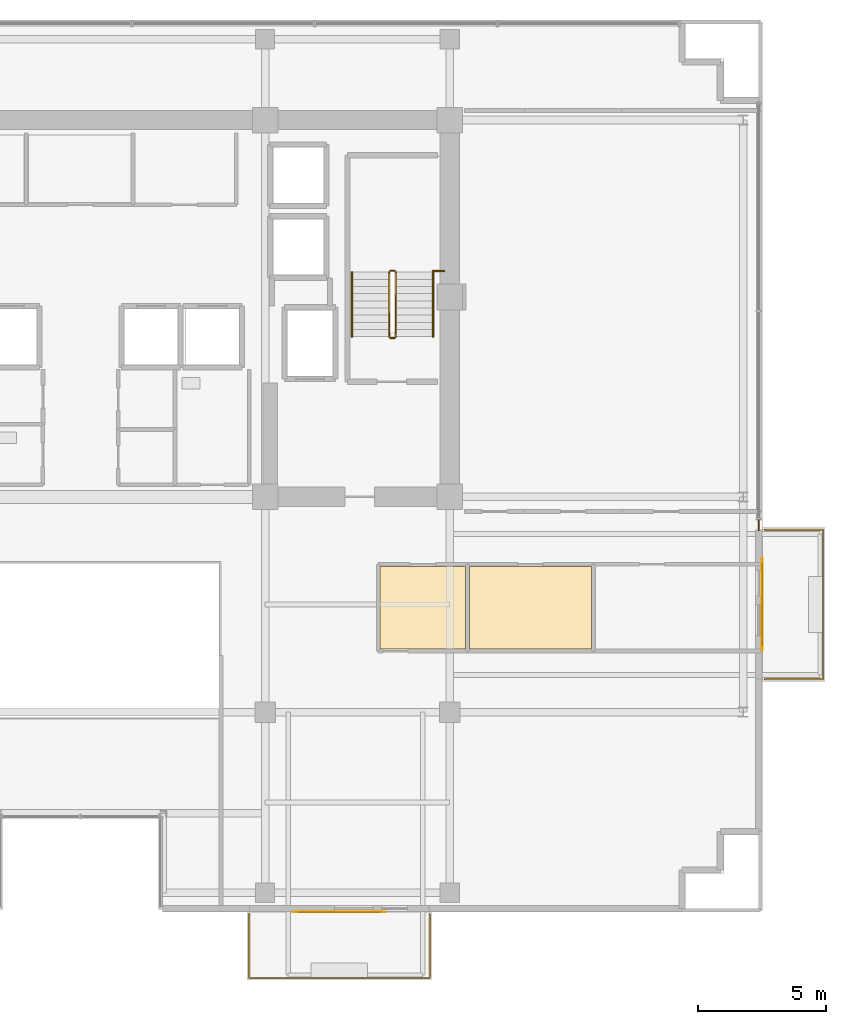
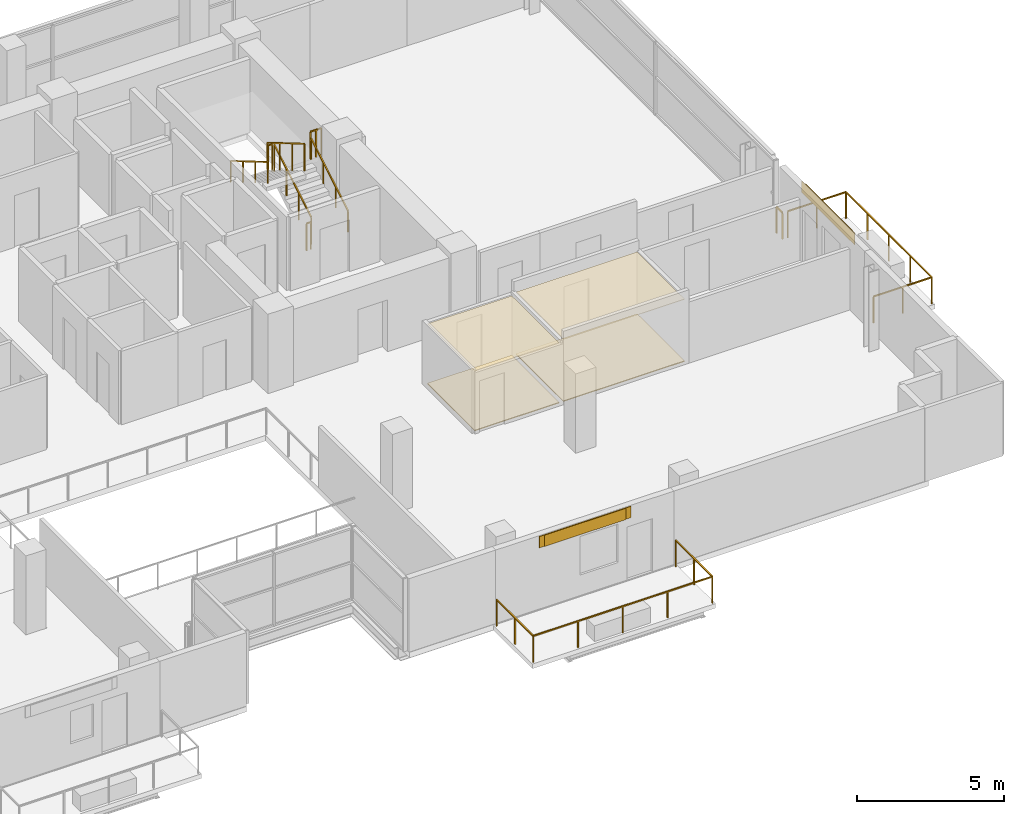
# One storey, part 21 of 22: 10 railings, 6 coverings, 2 shading devices.
"""IFC4 building model written with IfcOpenShell, lengths in metres."""

from ifc_helpers import new_model, si_unit, direction, frame, origin, origin_2d, place, context, subcontext, project, spatial, polyline, rectangle, outline, extrude, source, transform, mapped, material, layer, layer_set, type_object, element, save


model = new_model("IFC4")

# Units and contexts
model_context = context("Model", 3, precision=1e-05, world=origin(), true_north=direction((0.0, 1.0)))
body_context = subcontext(model_context, "Body", "Model", "MODEL_VIEW")
ifc_project = project(units=[si_unit("LENGTHUNIT", "METRE"), si_unit("AREAUNIT", "SQUARE_METRE"), si_unit("VOLUMEUNIT", "CUBIC_METRE"), si_unit("PLANEANGLEUNIT", "RADIAN"), si_unit("MASSUNIT", "GRAM", prefix="KILO")], contexts=[model_context])

# Site, building, storey
site_placement = place(None, origin())
site = spatial("IfcSite", under=ifc_project, at=site_placement, CompositionType="ELEMENT")
building_placement = place(site_placement, origin())
building = spatial("IfcBuilding", under=site, at=building_placement, Name="Zarnakvel Exchange Tower", CompositionType="ELEMENT")
storey_placement = place(building_placement, frame((0.0, 0.0, 195.699951171875)))
storey = spatial("IfcBuildingStorey", under=building, at=storey_placement, Name="L55", CompositionType="ELEMENT", Elevation=195.699951171875)

# Coverings
ifc_material_1 = material(Name="Perforated Bronze Acoustic Metal Ceiling", Category="aluminium")
ifc_layer_1 = layer(ifc_material_1, 0.02001953125)
ifc_layer_set_1 = layer_set([ifc_layer_1], Name="Perforated Bronze Acoustic Metal Ceiling")
covering_type_1 = type_object("IfcCoveringType", Name="CLG-01", PredefinedType="CEILING", material=ifc_layer_set_1)
covering_1_placement = place(storey_placement, frame((0.0, 0.0, 2.47998046875)))
element("IfcCovering", 1, at=covering_1_placement, inside=storey, type_object=covering_type_1, Name="L55 Suspended Acoustic Ceiling (Conference Room)", PredefinedType="CEILING", context=body_context, shape_type="SweptSolid", body=[
    extrude(outline(polyline([(11.69140625, -3.909912109375), (15.01220703125, -3.909912109375), (15.01220703125, -7.139892578125), (11.69140625, -7.139892578125), (11.69140625, -3.909912109375)])), origin(), (0.0, 0.0, 1.0), 0.02001953125),
])
covering_2_placement = place(storey_placement, frame((0.0, 0.0, 2.580078125)))
element("IfcCovering", 2, at=covering_2_placement, inside=storey, type_object=covering_type_1, Name="L55 Suspended Acoustic Ceiling (Executive Pantry)", PredefinedType="CEILING", context=body_context, shape_type="SweptSolid", body=[
    extrude(outline(polyline([(15.17236328125, -3.909912109375), (19.93701171875, -3.909912109375), (19.93701171875, -7.139892578125), (15.17236328125, -7.139892578125), (15.17236328125, -3.909912109375)])), origin(), (0.0, 0.0, 1.0), 0.02001953125),
])
ifc_material_2 = material(Name="Heavy-Duty Raised Access Floor Panel", Category="steel")
ifc_layer_2 = layer(ifc_material_2, 0.034912109375)
ifc_layer_set_2 = layer_set([ifc_layer_2], Name="Heavy-Duty Raised Access Floor Panel")
covering_type_2 = type_object("IfcCoveringType", Name="FLR-02", PredefinedType="FLOORING", material=ifc_layer_set_2)
covering_3_placement = place(storey_placement, origin())
element("IfcCovering", 3, at=covering_3_placement, inside=storey, type_object=covering_type_2, Name="L55 Floor Finish (Conference Room)", PredefinedType="FLOORING", context=body_context, shape_type="SweptSolid", body=[
    extrude(outline(polyline([(11.69140625, -3.909912109375), (15.01220703125, -3.909912109375), (15.01220703125, -7.139892578125), (11.69140625, -7.139892578125), (11.69140625, -3.909912109375)])), origin(), (0.0, 0.0, 1.0), 0.03515625),
])
covering_4_placement = place(storey_placement, origin())
element("IfcCovering", 4, at=covering_4_placement, inside=storey, type_object=covering_type_2, Name="L55 Floor Finish (Executive Pantry)", PredefinedType="FLOORING", context=body_context, shape_type="SweptSolid", body=[
    extrude(outline(polyline([(15.17236328125, -3.909912109375), (19.93701171875, -3.909912109375), (19.93701171875, -7.139892578125), (15.17236328125, -7.139892578125), (15.17236328125, -3.909912109375)])), origin(), (0.0, 0.0, 1.0), 0.03515625),
])

# Railings
ifc_material_3 = material(Name="Architectural Bronze Anodised Aluminium", Category="aluminium")
railing_type_1 = type_object("IfcRailingType", Name="GR-02", PredefinedType="GUARDRAIL", material=ifc_material_3)
railing_1_placement = place(storey_placement, frame((6.580078125, -17.47998046875, -0.034912109375)))
element("IfcRailing", 5, at=railing_1_placement, inside=storey, type_object=railing_type_1, Name="L55 Balcony Guardrail BAL-L55-SE", PredefinedType="GUARDRAIL", context=body_context, shape_type="SweptSolid", body=[
    extrude(rectangle(XDim=0.048095703125, YDim=0.048095703125, at=origin_2d()), frame((0.0, 0.0, 1.09619140625), z_axis=(0.0, -1.0, 0.0), x_axis=(1.0, 0.0, 0.0)), (0.0, 0.0, 1.0), 2.489990234375),
    extrude(rectangle(XDim=0.048095703125, YDim=0.048095703125, at=origin_2d()), frame((0.0, -2.489990234375, 1.09619140625), z_axis=(1.0, 0.0, 0.0), x_axis=(0.0, 1.0, 0.0)), (0.0, 0.0, 1.0), 7.0400390625),
    extrude(rectangle(XDim=0.048095703125, YDim=0.048095703125, at=origin_2d()), frame((7.0400390625, -2.489990234375, 1.09619140625), z_axis=(0.0, 1.0, 0.0), x_axis=(-1.0, 0.0, 0.0)), (0.0, 0.0, 1.0), 2.489990234375),
    extrude(rectangle(XDim=0.0419921875, YDim=0.0419921875, at=origin_2d()), origin(), (0.0, 0.0, 1.0), 1.072021484375),
    extrude(rectangle(XDim=0.0419921875, YDim=0.0419921875, at=origin_2d()), frame((0.0, -1.2451171875, 0.0)), (0.0, 0.0, 1.0), 1.072021484375),
    extrude(rectangle(XDim=0.0419921875, YDim=0.0419921875, at=origin_2d()), frame((0.0, -2.489990234375, 0.0)), (0.0, 0.0, 1.0), 1.072021484375),
    extrude(rectangle(XDim=0.0419921875, YDim=0.0419921875, at=origin_2d()), frame((1.760009765625, -2.489990234375, 0.0)), (0.0, 0.0, 1.0), 1.072021484375),
    extrude(rectangle(XDim=0.0419921875, YDim=0.0419921875, at=origin_2d()), frame((3.52001953125, -2.489990234375, 0.0)), (0.0, 0.0, 1.0), 1.072021484375),
    extrude(rectangle(XDim=0.0419921875, YDim=0.0419921875, at=origin_2d()), frame((5.280029296875, -2.489990234375, 0.0)), (0.0, 0.0, 1.0), 1.072021484375),
    extrude(rectangle(XDim=0.0419921875, YDim=0.0419921875, at=origin_2d()), frame((7.0400390625, -2.489990234375, 0.0)), (0.0, 0.0, 1.0), 1.072021484375),
    extrude(rectangle(XDim=0.0419921875, YDim=0.0419921875, at=origin_2d()), frame((7.0400390625, -1.2451171875, 0.0)), (0.0, 0.0, 1.0), 1.072021484375),
    extrude(rectangle(XDim=0.0419921875, YDim=0.0419921875, at=origin_2d()), frame((7.0400390625, 0.0, 0.0)), (0.0, 0.0, 1.0), 1.072021484375),
])
railing_2_placement = place(storey_placement, frame((26.679931640625, -8.320068359375, -0.034912109375)))
element("IfcRailing", 6, at=railing_2_placement, inside=storey, type_object=railing_type_1, Name="L55 Balcony Guardrail BAL-L55-E", PredefinedType="GUARDRAIL", context=body_context, shape_type="SweptSolid", body=[
    extrude(rectangle(XDim=0.048095703125, YDim=0.048095703125, at=origin_2d()), frame((0.0, 0.0, 1.09619140625), z_axis=(1.0, 0.0, 0.0), x_axis=(0.0, 1.0, 0.0)), (0.0, 0.0, 1.0), 2.2900390625),
    extrude(rectangle(XDim=0.048095703125, YDim=0.048095703125, at=origin_2d()), frame((2.2900390625, 0.0, 1.09619140625), z_axis=(0.0, 1.0, 0.0), x_axis=(-1.0, 0.0, 0.0)), (0.0, 0.0, 1.0), 5.840087890625),
    extrude(rectangle(XDim=0.048095703125, YDim=0.048095703125, at=origin_2d()), frame((2.2900390625, 5.840087890625, 1.09619140625), z_axis=(-1.0, 0.0, 0.0), x_axis=(0.0, -1.0, 0.0)), (0.0, 0.0, 1.0), 2.2900390625),
    extrude(rectangle(XDim=0.0419921875, YDim=0.0419921875, at=origin_2d()), origin(), (0.0, 0.0, 1.0), 1.072021484375),
    extrude(rectangle(XDim=0.0419921875, YDim=0.0419921875, at=origin_2d()), frame((1.14501953125, 0.0, 0.0)), (0.0, 0.0, 1.0), 1.072021484375),
    extrude(rectangle(XDim=0.0419921875, YDim=0.0419921875, at=origin_2d()), frame((2.2900390625, 0.0, 0.0)), (0.0, 0.0, 1.0), 1.072021484375),
    extrude(rectangle(XDim=0.0419921875, YDim=0.0419921875, at=origin_2d()), frame((2.2900390625, 1.4599609375, 0.0)), (0.0, 0.0, 1.0), 1.072021484375),
    extrude(rectangle(XDim=0.0419921875, YDim=0.0419921875, at=origin_2d()), frame((2.2900390625, 2.919921875, 0.0)), (0.0, 0.0, 1.0), 1.072021484375),
    extrude(rectangle(XDim=0.0419921875, YDim=0.0419921875, at=origin_2d()), frame((2.2900390625, 4.380126953125, 0.0)), (0.0, 0.0, 1.0), 1.072021484375),
    extrude(rectangle(XDim=0.0419921875, YDim=0.0419921875, at=origin_2d()), frame((2.2900390625, 5.840087890625, 0.0)), (0.0, 0.0, 1.0), 1.072021484375),
    extrude(rectangle(XDim=0.0419921875, YDim=0.0419921875, at=origin_2d()), frame((1.14501953125, 5.840087890625, 0.0)), (0.0, 0.0, 1.0), 1.072021484375),
    extrude(rectangle(XDim=0.0419921875, YDim=0.0419921875, at=origin_2d()), frame((0.0, 5.840087890625, 0.0)), (0.0, 0.0, 1.0), 1.072021484375),
])
railing_3_placement = place(storey_placement, frame((26.4599609375, -2.10009765625, 0.0)))
element("IfcRailing", 7, at=railing_3_placement, inside=storey, type_object=railing_type_1, Name="L55 Corner Spandrel Balustrade #9", PredefinedType="GUARDRAIL", context=body_context, shape_type="SweptSolid", body=[
    extrude(rectangle(XDim=0.048095703125, YDim=0.048095703125, at=origin_2d()), frame((0.0, 0.0, 1.09619140625), z_axis=(0.0, -1.0, 0.0), x_axis=(1.0, 0.0, 0.0)), (0.0, 0.0, 1.0), 0.39990234375),
    extrude(rectangle(XDim=0.0419921875, YDim=0.0419921875, at=origin_2d()), origin(), (0.0, 0.0, 1.0), 1.072021484375),
    extrude(rectangle(XDim=0.0419921875, YDim=0.0419921875, at=origin_2d()), frame((0.0, -0.39990234375, 0.0)), (0.0, 0.0, 1.0), 1.072021484375),
])
ifc_material_4 = material(Name="Brushed Stainless Steel", Category="steel")
railing_type_2 = type_object("IfcRailingType", Name="HR-01", PredefinedType="HANDRAIL", material=ifc_material_4)
railing_4_placement = place(storey_placement, frame((13.75, 5.050048828125, 0.1650390625)))
element("IfcRailing", 8, at=railing_4_placement, inside=storey, type_object=railing_type_2, Name="L55 ST-02 stair handrail 1", PredefinedType="HANDRAIL", context=body_context, shape_type="SweptSolid", body=[
    extrude(rectangle(XDim=0.048095703125, YDim=0.048095703125, at=origin_2d()), frame((0.0, 0.0, 0.8759765625), z_axis=(0.0, 0.86152411907, 0.507716645641), x_axis=(-1.0, 0.0, 0.0)), (0.0, 0.0, 1.0), 2.925048828125),
    extrude(rectangle(XDim=0.0419921875, YDim=0.0419921875, at=origin_2d()), origin(), (0.0, 0.0, 1.0), 0.851806640625),
    extrude(rectangle(XDim=0.0419921875, YDim=0.0419921875, at=origin_2d()), frame((0.0, 0.840087890625, 0.4951171875)), (0.0, 0.0, 1.0), 0.851806640625),
    extrude(rectangle(XDim=0.0419921875, YDim=0.0419921875, at=origin_2d()), frame((0.0, 1.679931640625, 0.989990234375)), (0.0, 0.0, 1.0), 0.851806640625),
    extrude(rectangle(XDim=0.0419921875, YDim=0.0419921875, at=origin_2d()), frame((0.0, 2.52001953125, 1.485107421875)), (0.0, 0.0, 1.0), 0.851806640625),
])
railing_5_placement = place(storey_placement, frame((10.590087890625, 7.570068359375, 1.81494140625)))
element("IfcRailing", 9, at=railing_5_placement, inside=storey, type_object=railing_type_2, Name="L55 ST-02 stair handrail 2", PredefinedType="HANDRAIL", context=body_context, shape_type="SweptSolid", body=[
    extrude(rectangle(XDim=0.048095703125, YDim=0.048095703125, at=origin_2d()), frame((0.0, 0.0, 0.8759765625), z_axis=(0.0, -0.86152411907, 0.507716645641), x_axis=(1.0, 0.0, 0.0)), (0.0, 0.0, 1.0), 2.925048828125),
    extrude(rectangle(XDim=0.0419921875, YDim=0.0419921875, at=origin_2d()), origin(), (0.0, 0.0, 1.0), 0.851806640625),
    extrude(rectangle(XDim=0.0419921875, YDim=0.0419921875, at=origin_2d()), frame((0.0, -0.840087890625, 0.4951171875)), (0.0, 0.0, 1.0), 0.851806640625),
    extrude(rectangle(XDim=0.0419921875, YDim=0.0419921875, at=origin_2d()), frame((0.0, -1.679931640625, 0.989990234375)), (0.0, 0.0, 1.0), 0.851806640625),
    extrude(rectangle(XDim=0.0419921875, YDim=0.0419921875, at=origin_2d()), frame((0.0, -2.52001953125, 1.485107421875)), (0.0, 0.0, 1.0), 0.851806640625),
])
railing_type_3 = type_object("IfcRailingType", Name="SG-01", PredefinedType="GUARDRAIL", material=ifc_material_3)
railing_6_placement = place(storey_placement, frame((12.300048828125, 5.050048828125, 0.1650390625)))
element("IfcRailing", 10, at=railing_6_placement, inside=storey, type_object=railing_type_3, Name="L55 ST-02 stair guard 1", PredefinedType="GUARDRAIL", context=body_context, shape_type="SweptSolid", body=[
    extrude(rectangle(XDim=0.048095703125, YDim=0.048095703125, at=origin_2d()), frame((0.0, 0.0, 1.1259765625), z_axis=(0.0, 0.86152411907, 0.507716645641), x_axis=(-1.0, 0.0, 0.0)), (0.0, 0.0, 1.0), 2.925048828125),
    extrude(rectangle(XDim=0.0419921875, YDim=0.0419921875, at=origin_2d()), origin(), (0.0, 0.0, 1.0), 1.101806640625),
    extrude(rectangle(XDim=0.0419921875, YDim=0.0419921875, at=origin_2d()), frame((0.0, 0.840087890625, 0.4951171875)), (0.0, 0.0, 1.0), 1.101806640625),
    extrude(rectangle(XDim=0.0419921875, YDim=0.0419921875, at=origin_2d()), frame((0.0, 1.679931640625, 0.989990234375)), (0.0, 0.0, 1.0), 1.101806640625),
    extrude(rectangle(XDim=0.0419921875, YDim=0.0419921875, at=origin_2d()), frame((0.0, 2.52001953125, 1.485107421875)), (0.0, 0.0, 1.0), 1.101806640625),
])
railing_7_placement = place(storey_placement, frame((12.25, 7.6201171875, 1.650146484375)))
element("IfcRailing", 11, at=railing_7_placement, inside=storey, type_object=railing_type_3, Name="L55 ST-02 stair guard 2", PredefinedType="GUARDRAIL", context=body_context, shape_type="SweptSolid", body=[
    extrude(rectangle(XDim=0.048095703125, YDim=0.048095703125, at=origin_2d()), frame((0.0, 0.0, 1.1259765625), z_axis=(-1.0, 0.0, 0.0), x_axis=(0.0, -1.0, 0.0)), (0.0, 0.0, 1.0), 0.159912109375),
    extrude(rectangle(XDim=0.0419921875, YDim=0.0419921875, at=origin_2d()), origin(), (0.0, 0.0, 1.0), 1.101806640625),
    extrude(rectangle(XDim=0.0419921875, YDim=0.0419921875, at=origin_2d()), frame((-0.159912109375, 0.0, 0.0)), (0.0, 0.0, 1.0), 1.101806640625),
])
railing_8_placement = place(storey_placement, frame((12.0400390625, 7.570068359375, 1.81494140625)))
element("IfcRailing", 12, at=railing_8_placement, inside=storey, type_object=railing_type_3, Name="L55 ST-02 stair guard 3", PredefinedType="GUARDRAIL", context=body_context, shape_type="SweptSolid", body=[
    extrude(rectangle(XDim=0.048095703125, YDim=0.048095703125, at=origin_2d()), frame((0.0, 0.0, 1.1259765625), z_axis=(0.0, -0.86152411907, 0.507716645641), x_axis=(1.0, 0.0, 0.0)), (0.0, 0.0, 1.0), 2.925048828125),
    extrude(rectangle(XDim=0.0419921875, YDim=0.0419921875, at=origin_2d()), origin(), (0.0, 0.0, 1.0), 1.101806640625),
    extrude(rectangle(XDim=0.0419921875, YDim=0.0419921875, at=origin_2d()), frame((0.0, -0.840087890625, 0.4951171875)), (0.0, 0.0, 1.0), 1.101806640625),
    extrude(rectangle(XDim=0.0419921875, YDim=0.0419921875, at=origin_2d()), frame((0.0, -1.679931640625, 0.989990234375)), (0.0, 0.0, 1.0), 1.101806640625),
    extrude(rectangle(XDim=0.0419921875, YDim=0.0419921875, at=origin_2d()), frame((0.0, -2.52001953125, 1.485107421875)), (0.0, 0.0, 1.0), 1.101806640625),
])
railing_9_placement = place(storey_placement, frame((12.25, 5.0, 0.0)))
element("IfcRailing", 13, at=railing_9_placement, inside=storey, type_object=railing_type_3, Name="L55 ST-02 stair guard 4", PredefinedType="GUARDRAIL", context=body_context, shape_type="SweptSolid", body=[
    extrude(rectangle(XDim=0.048095703125, YDim=0.048095703125, at=origin_2d()), frame((0.0, 0.0, 1.1259765625), z_axis=(-1.0, 0.0, 0.0), x_axis=(0.0, -1.0, 0.0)), (0.0, 0.0, 1.0), 0.159912109375),
    extrude(rectangle(XDim=0.0419921875, YDim=0.0419921875, at=origin_2d()), origin(), (0.0, 0.0, 1.0), 1.101806640625),
    extrude(rectangle(XDim=0.0419921875, YDim=0.0419921875, at=origin_2d()), frame((-0.159912109375, 0.0, 0.0)), (0.0, 0.0, 1.0), 1.101806640625),
])
railing_10_placement = place(storey_placement, frame((13.75, 7.610107421875, 1.650146484375)))
element("IfcRailing", 14, at=railing_10_placement, inside=storey, type_object=railing_type_3, Name="L55 ST-02 Landing Slot Guardrail", PredefinedType="GUARDRAIL", context=body_context, shape_type="SweptSolid", body=[
    extrude(rectangle(XDim=0.048095703125, YDim=0.048095703125, at=origin_2d()), frame((0.0, 0.0, 1.1259765625), z_axis=(1.0, 0.0, 0.0), x_axis=(0.0, 1.0, 0.0)), (0.0, 0.0, 1.0), 0.429931640625),
    extrude(rectangle(XDim=0.0419921875, YDim=0.0419921875, at=origin_2d()), origin(), (0.0, 0.0, 1.0), 1.101806640625),
    extrude(rectangle(XDim=0.0419921875, YDim=0.0419921875, at=origin_2d()), frame((0.21484375, 0.0, 0.0)), (0.0, 0.0, 1.0), 1.101806640625),
    extrude(rectangle(XDim=0.0419921875, YDim=0.0419921875, at=origin_2d()), frame((0.429931640625, 0.0, 0.0)), (0.0, 0.0, 1.0), 1.101806640625),
])

# Shading devices
ifc_material_5 = material(Name="Perforated Architectural Bronze Screen", Category="aluminium")
ifc_layer_3 = layer(ifc_material_5, 0.044921875)
ifc_layer_set_3 = layer_set([ifc_layer_3], Name="Perforated Architectural Bronze Screen")
shading_device_type = type_object("IfcShadingDeviceType", Name="SS-01", PredefinedType="JALOUSIE", material=ifc_layer_set_3)
shared_shape_1 = source(origin(), body_context, "Body", "SweptSolid", [
    extrude(rectangle(XDim=3.199951171875, YDim=0.044921875, at=origin_2d()), origin(), (0.0, 0.0, 1.0), 0.469970703125),
])
for number, where, z_axis, x_axis, name in (
    (15, (10.10009765625, -17.400390625, 2.56005859375), (0.0, 0.0, 1.0), (-1.0, 0.0, 0.0), "L55 Bronze Solar Shading Screen SS-01"),
    (16, (26.6005859375, -5.39990234375, 2.56005859375), (0.0, 0.0, 1.0), (0.0, -1.0, 0.0), "L55 Bronze Solar Shading Screen SS-01"),
):
    element("IfcShadingDevice", number, at=place(storey_placement, frame(where, z_axis=z_axis, x_axis=x_axis)), inside=storey, type_object=shading_device_type, Name=name, PredefinedType="JALOUSIE", context=body_context, shape_type="MappedRepresentation", body=[
        mapped(shared_shape_1, transform((0.0, 0.0, 0.0), x_axis=(1.0, 0.0, 0.0), y_axis=(0.0, 1.0, 0.0), z_axis=(0.0, 0.0, 1.0), scale=1.0)),
    ])

# Coverings
ifc_material_6 = material(Name="Glazed Turquoise Ceramic Architectural Tile", Category="ceramic")
ifc_layer_4 = layer(ifc_material_6, 0.028076171875)
ifc_layer_set_4 = layer_set([ifc_layer_4], Name="Glazed Turquoise Ceramic Architectural Tile")
covering_type_3 = type_object("IfcCoveringType", Name="CL-01", PredefinedType="CLADDING", material=ifc_layer_set_4)
shared_shape_2 = source(origin(), body_context, "Body", "SweptSolid", [
    extrude(rectangle(XDim=3.60009765625, YDim=0.028076171875, at=origin_2d()), origin(), (0.0, 0.0, 1.0), 0.469970703125),
])
for number, where, z_axis, x_axis, name in (
    (17, (10.10009765625, -17.39208984375, 2.56005859375), (0.0, 0.0, 1.0), (-1.0, 0.0, 0.0), "L55 Ceramic Spandrel Tilework CL-01"),
    (18, (26.592041015625, -5.39990234375, 2.56005859375), (0.0, 0.0, 1.0), (0.0, -1.0, 0.0), "L55 Ceramic Spandrel Tilework CL-01"),
):
    element("IfcCovering", number, at=place(storey_placement, frame(where, z_axis=z_axis, x_axis=x_axis)), inside=storey, type_object=covering_type_3, Name=name, PredefinedType="CLADDING", context=body_context, shape_type="MappedRepresentation", body=[
        mapped(shared_shape_2, transform((0.0, 0.0, 0.0), x_axis=(1.0, 0.0, 0.0), y_axis=(0.0, 1.0, 0.0), z_axis=(0.0, 0.0, 1.0), scale=1.0)),
    ])

save(model, "model.ifc")
